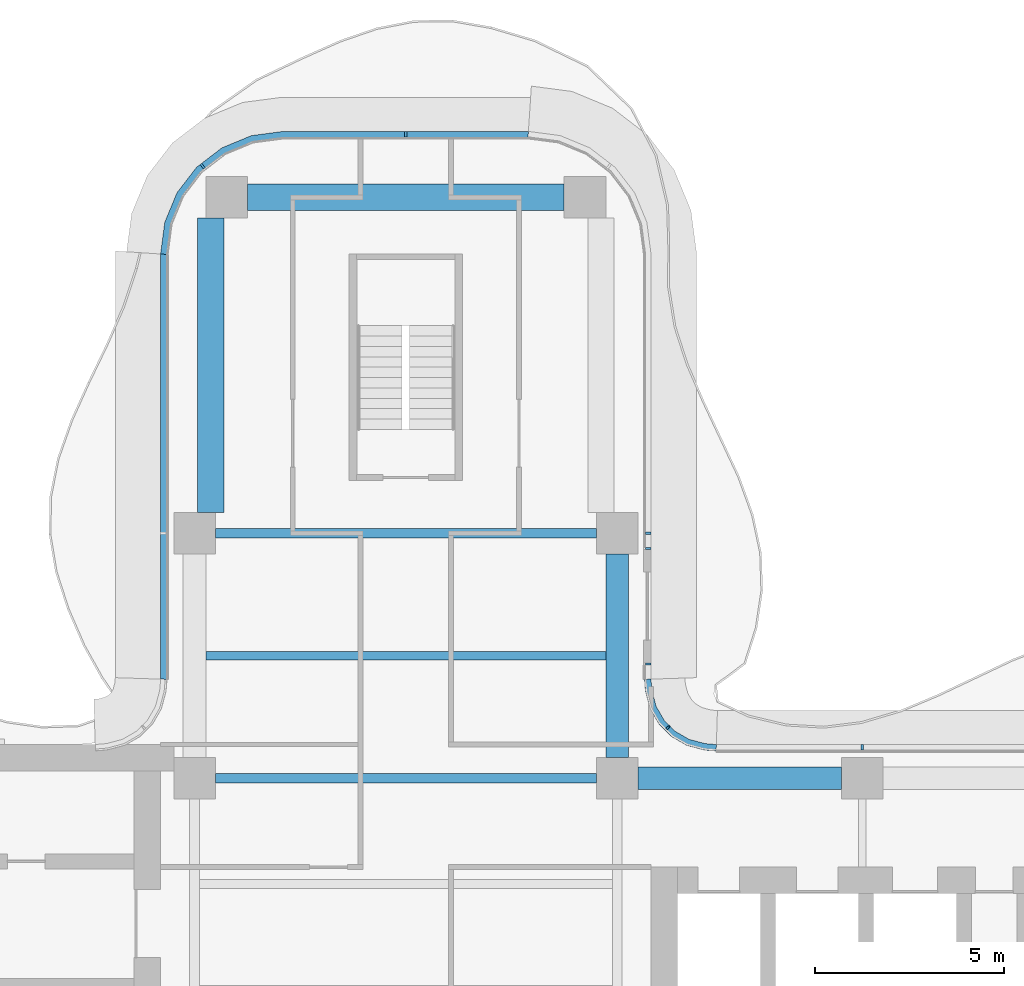
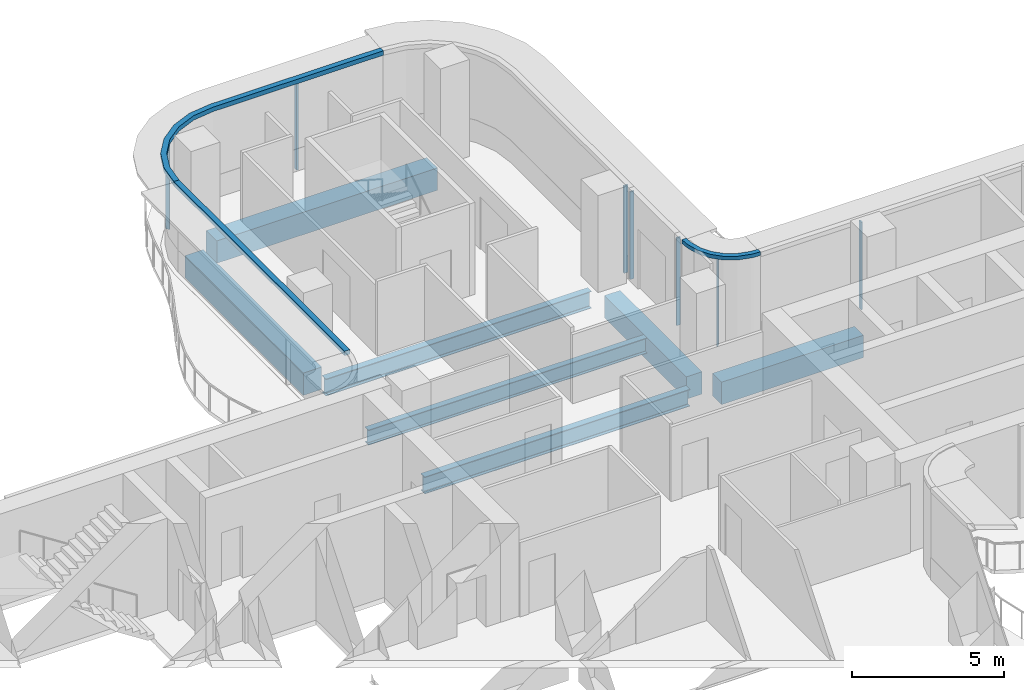
# One storey, part 8 of 19: 10 members, 7 beams, 6 elements without a shape of their own.
"""IFC4 building model written with IfcOpenShell, lengths in metres."""

from ifc_helpers import new_model, si_unit, direction, frame, origin, origin_2d, place, context, subcontext, project, spatial, polyline, rectangle, i_section, outline, extrude, source, transform, mapped, material, layer, layer_set, material_profile, profile_set, type_object, element, aggregate, save


model = new_model("IFC4")

# Units and contexts
model_context = context("Model", 3, precision=1e-05, world=origin(), true_north=direction((0.0, 1.0)))
body_context = subcontext(model_context, "Body", "Model", "MODEL_VIEW")
ifc_project = project(units=[si_unit("LENGTHUNIT", "METRE"), si_unit("AREAUNIT", "SQUARE_METRE"), si_unit("VOLUMEUNIT", "CUBIC_METRE"), si_unit("PLANEANGLEUNIT", "RADIAN"), si_unit("MASSUNIT", "GRAM", prefix="KILO")], contexts=[model_context])

# Site, building, storey
site_placement = place(None, origin())
site = spatial("IfcSite", under=ifc_project, at=site_placement, CompositionType="ELEMENT")
building_placement = place(site_placement, origin())
building = spatial("IfcBuilding", under=site, at=building_placement, Name="Trellis Farm Tower", CompositionType="ELEMENT")
storey_placement = place(building_placement, frame((0.0, 0.0, 228.5)))
storey = spatial("IfcBuildingStorey", under=building, at=storey_placement, Name="L50", CompositionType="ELEMENT", Elevation=228.5)

# Beams
ifc_material_1 = material(Name="Steel S355", Category="steel")
ifc_material_profile_1 = material_profile(ifc_material_1, i_section(OverallWidth=0.22900390625, OverallDepth=0.6123046875, WebThickness=0.011962890625, FlangeThickness=0.01953125, FilletRadius=0.0126953125, at=origin_2d()), Name="UB 610x229x125")
ifc_profile_set_1 = profile_set([ifc_material_profile_1], Name="Steel S355")
beam_type_1 = type_object("IfcBeamType", Name="UB 610x229x125 joist", PredefinedType="JOIST", material=ifc_profile_set_1)
shared_shape_1 = source(origin(), body_context, "Body", "SweptSolid", [
    extrude(i_section(OverallWidth=0.22900390625, OverallDepth=0.6123046875, WebThickness=0.011962890625, FlangeThickness=0.01953125, FilletRadius=0.0126953125, at=origin_2d()), origin(), (0.0, 0.0, 1.0), 10.60009765625),
])
beam_1_placement = place(storey_placement, frame((-5.300048828125, 8.85009765625, -0.506103515625), z_axis=(1.0, 0.0, 0.0), x_axis=(0.0, 1.0, 0.0)))
element("IfcBeam", 1, at=beam_1_placement, inside=storey, type_object=beam_type_1, Name="Floor beam", PredefinedType="JOIST", context=body_context, shape_type="MappedRepresentation", body=[
    mapped(shared_shape_1, transform((0.0, 0.0, 0.0))),
])
ifc_material_profile_2 = material_profile(ifc_material_1, i_section(OverallWidth=0.253662109375, OverallDepth=0.68359375, WebThickness=0.012451171875, FlangeThickness=0.021728515625, FilletRadius=0.01513671875, at=origin_2d()), Name="UB 686x254x140")
ifc_profile_set_2 = profile_set([ifc_material_profile_2], Name="Steel S355")
beam_type_2 = type_object("IfcBeamType", Name="UB 686x254x140", PredefinedType="BEAM", material=ifc_profile_set_2)
shared_shape_2 = source(origin(), body_context, "Body", "SweptSolid", [
    extrude(i_section(OverallWidth=0.253662109375, OverallDepth=0.68359375, WebThickness=0.012451171875, FlangeThickness=0.021728515625, FilletRadius=0.01513671875, at=origin_2d()), origin(), (0.0, 0.0, 1.0), 10.10009765625),
])
for number, where, z_axis, x_axis, name in (
    (2, (-5.050048828125, 5.60009765625, -0.541748046875), (1.0, 0.0, 0.0), (0.0, 1.0, 0.0), "Girder"),
    (3, (-5.050048828125, 12.10009765625, -0.541748046875), (1.0, 0.0, 0.0), (0.0, 1.0, 0.0), "Girder"),
):
    element("IfcBeam", number, at=place(storey_placement, frame(where, z_axis=z_axis, x_axis=x_axis)), inside=storey, type_object=beam_type_2, Name=name, PredefinedType="BEAM", context=body_context, shape_type="MappedRepresentation", body=[
        mapped(shared_shape_2, transform((0.0, 0.0, 0.0))),
    ])
ifc_material_2 = material(Name="Concrete C60/75", Category="concrete")
ifc_material_profile_3 = material_profile(ifc_material_2, rectangle(XDim=0.60009765625, YDim=0.89990234375, at=origin_2d()), Name="RC spandrel beam 600x900 C60/75")
ifc_profile_set_3 = profile_set([ifc_material_profile_3], Name="Concrete C60/75")
beam_type_3 = type_object("IfcBeamType", Name="RC spandrel beam 600x900 C60/75", PredefinedType="SPANDREL", material=ifc_profile_set_3)
shared_shape_3 = source(origin(), body_context, "Body", "SweptSolid", [
    extrude(rectangle(XDim=0.60009765625, YDim=0.89990234375, at=origin_2d()), origin(), (0.0, 0.0, 1.0), 5.400146484375),
])
for number, where, z_axis, x_axis, name in (
    (4, (6.14990234375, 5.60009765625, -0.64990234375), (1.0, 0.0, 0.0), (0.0, 1.0, 0.0), "Girder"),
    (5, (5.60009765625, 6.14990234375, -0.64990234375), (0.0, 1.0, 0.0), (-1.0, 0.0, 0.0), "Girder"),
):
    element("IfcBeam", number, at=place(storey_placement, frame(where, z_axis=z_axis, x_axis=x_axis)), inside=storey, type_object=beam_type_3, Name=name, PredefinedType="SPANDREL", context=body_context, shape_type="MappedRepresentation", body=[
        mapped(shared_shape_3, transform((0.0, 0.0, 0.0))),
    ])
ifc_material_profile_4 = material_profile(ifc_material_2, rectangle(XDim=0.699951171875, YDim=0.89990234375, at=origin_2d()), Name="RC spandrel beam 700x900 C60/75")
ifc_profile_set_4 = profile_set([ifc_material_profile_4], Name="Concrete C60/75")
beam_type_4 = type_object("IfcBeamType", Name="RC spandrel beam 700x900 C60/75", PredefinedType="SPANDREL", material=ifc_profile_set_4)
shared_shape_4 = source(origin(), body_context, "Body", "SweptSolid", [
    extrude(rectangle(XDim=0.699951171875, YDim=0.89990234375, at=origin_2d()), origin(), (0.0, 0.0, 1.0), 8.39990234375),
])
beam_2_placement = place(storey_placement, frame((-4.199951171875, 21.0, -0.64990234375), z_axis=(1.0, 0.0, 0.0), x_axis=(0.0, 1.0, 0.0)))
element("IfcBeam", 6, at=beam_2_placement, inside=storey, type_object=beam_type_4, Name="Girder", PredefinedType="SPANDREL", context=body_context, shape_type="MappedRepresentation", body=[
    mapped(shared_shape_4, transform((0.0, 0.0, 0.0))),
])
shared_shape_5 = source(origin(), body_context, "Body", "SweptSolid", [
    extrude(rectangle(XDim=0.699951171875, YDim=0.89990234375, at=origin_2d()), origin(), (0.0, 0.0, 1.0), 7.800048828125),
])
beam_3_placement = place(storey_placement, frame((-5.175048828125, 12.64990234375, -0.64990234375), z_axis=(0.0, 1.0, 0.0), x_axis=(-1.0, 0.0, 0.0)))
element("IfcBeam", 7, at=beam_3_placement, inside=storey, type_object=beam_type_4, Name="Girder", PredefinedType="SPANDREL", context=body_context, shape_type="MappedRepresentation", body=[
    mapped(shared_shape_5, transform((0.0, 0.0, 0.0))),
])

# Curtain wall, member
ifc_material_3 = material(Name="Aluminium and glass curtain wall", Category="aluminium")
ifc_layer_1 = layer(ifc_material_3, 0.166015625)
ifc_layer_set_1 = layer_set([ifc_layer_1], Name="WINTER GARDEN CURTAIN WALL CW3")
curtain_wall_type_1 = type_object("IfcCurtainWallType", Name="WINTER GARDEN CURTAIN WALL CW3", PredefinedType="NOTDEFINED", material=ifc_layer_set_1)
placement_1 = place(storey_placement, origin())
curtain_wall_1 = element("IfcCurtainWall", 8, at=placement_1, inside=storey, type_object=curtain_wall_type_1, Name="CW3 003", PredefinedType="NOTDEFINED")
ifc_material_4 = material(Name="Aluminium extrusion 6063-T6", Category="aluminium")
ifc_layer_2 = layer(ifc_material_4, 0.169921875)
ifc_layer_set_2 = layer_set([ifc_layer_2], Name="Aluminium extrusion 6063-T6")
member_type_1 = type_object("IfcMemberType", Name="CW3 TRANSOM 170x150", PredefinedType="USERDEFINED", material=ifc_layer_set_2)
shared_shape_6 = source(origin(), body_context, "Body", "SweptSolid", [
    extrude(outline(polyline([(8.2314453125, 6.5), (8.01953125, 6.513916015625), (7.91552734375, 6.527587890625), (7.508544921875, 6.63671875), (7.144287109375, 6.846923828125), (6.846923828125, 7.144287109375), (6.63671875, 7.508544921875), (6.527587890625, 7.91552734375), (6.513916015625, 8.01953125), (6.5, 8.2314453125), (6.330078125, 8.225830078125), (6.3447265625, 8.0029296875), (6.360595703125, 7.88232421875), (6.478271484375, 7.44287109375), (6.7109375, 7.0400390625), (7.0400390625, 6.7109375), (7.44287109375, 6.478271484375), (7.88232421875, 6.360595703125), (8.0029296875, 6.3447265625), (8.225830078125, 6.330078125), (8.2314453125, 6.5)])), origin(), (0.0, 0.0, 1.0), 0.14990234375),
])
member_1_placement = place(storey_placement, frame((0.0, 0.0, 3.550048828125)))
member_1 = element("IfcMember", 9, at=member_1_placement, type_object=member_type_1, Name="TR3 003", ObjectType="TRANSOM", PredefinedType="USERDEFINED", context=body_context, shape_type="MappedRepresentation", body=[
    mapped(shared_shape_6, transform((0.0, 0.0, 0.0))),
])

ifc_layer_3 = layer(ifc_material_3, 0.18994140625)
ifc_layer_set_3 = layer_set([ifc_layer_3], Name="RIBBON CURTAIN WALL CW1")
curtain_wall_type_2 = type_object("IfcCurtainWallType", Name="RIBBON CURTAIN WALL CW1", PredefinedType="NOTDEFINED", material=ifc_layer_set_3)
curtain_wall_2 = element("IfcCurtainWall", 10, at=placement_1, inside=storey, type_object=curtain_wall_type_2, Name="CW1 007", PredefinedType="NOTDEFINED")
ifc_material_profile_5 = material_profile(ifc_material_4, rectangle(XDim=0.06005859375, YDim=0.14990234375, at=origin_2d()), Name="MULLION 60x150")
ifc_profile_set_5 = profile_set([ifc_material_profile_5], Name="Aluminium extrusion 6063-T6")
member_type_2 = type_object("IfcMemberType", Name="CW1 MULLION 60x150", PredefinedType="MULLION", material=ifc_profile_set_5)
shared_shape_7 = source(origin(), body_context, "Body", "SweptSolid", [
    extrude(rectangle(XDim=0.06005859375, YDim=0.14990234375, at=origin_2d()), origin(), (0.0, 0.0, 1.0), 3.52001953125),
])
member_2_placement = place(storey_placement, frame((12.10009765625, 6.425048828125, 0.0), z_axis=(0.0, 0.0, 1.0), x_axis=(-1.0, 0.0, 0.0)))
member_2 = element("IfcMember", 11, at=member_2_placement, type_object=member_type_2, Name="MU1 007-02", PredefinedType="MULLION", context=body_context, shape_type="MappedRepresentation", body=[
    mapped(shared_shape_7, transform((0.0, 0.0, 0.0))),
])
aggregate(curtain_wall_2, [member_2])

curtain_wall_3 = element("IfcCurtainWall", 12, at=placement_1, inside=storey, type_object=curtain_wall_type_2, Name="CW1 008", PredefinedType="NOTDEFINED")
member_3_placement = place(storey_placement, frame((6.425048828125, 8.6357421875, 0.0), z_axis=(0.0, 0.0, 1.0), x_axis=(0.0, 1.0, 0.0)))
member_3 = element("IfcMember", 13, at=member_3_placement, type_object=member_type_2, Name="MU1 008-01", PredefinedType="MULLION", context=body_context, shape_type="MappedRepresentation", body=[
    mapped(shared_shape_7, transform((0.0, 0.0, 0.0))),
])
aggregate(curtain_wall_3, [member_3])

# Curtain wall, members
curtain_wall_4 = element("IfcCurtainWall", 14, at=placement_1, inside=storey, type_object=curtain_wall_type_2, Name="CW1 009", PredefinedType="NOTDEFINED")
member_4_placement = place(storey_placement, frame((6.425048828125, 11.69580078125, 0.0), z_axis=(0.0, 0.0, 1.0), x_axis=(0.0, 1.0, 0.0)))
member_4 = element("IfcMember", 15, at=member_4_placement, type_object=member_type_2, Name="MU1 009-01", PredefinedType="MULLION", context=body_context, shape_type="MappedRepresentation", body=[
    mapped(shared_shape_7, transform((0.0, 0.0, 0.0))),
])
member_5_placement = place(storey_placement, frame((6.425048828125, 12.10009765625, 0.0), z_axis=(0.0, 0.0, 1.0), x_axis=(0.0, 1.0, 0.0)))
member_5 = element("IfcMember", 16, at=member_5_placement, type_object=member_type_2, Name="MU1 009-02", PredefinedType="MULLION", context=body_context, shape_type="MappedRepresentation", body=[
    mapped(shared_shape_7, transform((0.0, 0.0, 0.0))),
])
aggregate(curtain_wall_4, [member_4, member_5])

curtain_wall_5 = element("IfcCurtainWall", 17, at=placement_1, inside=storey, type_object=curtain_wall_type_2, Name="CW1 010", PredefinedType="NOTDEFINED")
member_6_placement = place(storey_placement, frame((0.0, 22.675048828125, 0.0), z_axis=(0.0, 0.0, 1.0), x_axis=(-1.0, 0.0, 0.0)))
member_6 = element("IfcMember", 18, at=member_6_placement, type_object=member_type_2, Name="MU1 010-01", PredefinedType="MULLION", context=body_context, shape_type="MappedRepresentation", body=[
    mapped(shared_shape_7, transform((0.0, 0.0, 0.0))),
])
member_7_placement = place(storey_placement, frame((-5.385498046875, 21.828369140625, 0.0), z_axis=(0.0, 0.0, 1.0), x_axis=(-0.793353340291, -0.608761429009, 0.0)))
member_7 = element("IfcMember", 19, at=member_7_placement, type_object=member_type_2, Name="MU1 010-02", PredefinedType="MULLION", context=body_context, shape_type="MappedRepresentation", body=[
    mapped(shared_shape_7, transform((0.0, 0.0, 0.0))),
])

# Member
ifc_material_profile_6 = material_profile(ifc_material_4, rectangle(XDim=0.050048828125, YDim=0.1201171875, at=origin_2d()), Name="MULLION 50x120")
ifc_profile_set_6 = profile_set([ifc_material_profile_6], Name="Aluminium extrusion 6063-T6")
member_type_3 = type_object("IfcMemberType", Name="CW3 MULLION 50x120", PredefinedType="MULLION", material=ifc_profile_set_6)
shared_shape_8 = source(origin(), body_context, "Body", "SweptSolid", [
    extrude(rectangle(XDim=0.050048828125, YDim=0.1201171875, at=origin_2d()), origin(), (0.0, 0.0, 1.0), 3.550048828125),
])
member_8_placement = place(storey_placement, frame((6.953125, 6.953125, 0.0), z_axis=(0.0, 0.0, 1.0), x_axis=(-0.707106781187, 0.707106781187, 0.0)))
member_8 = element("IfcMember", 20, at=member_8_placement, type_object=member_type_3, Name="MU3 003-01", PredefinedType="MULLION", context=body_context, shape_type="MappedRepresentation", body=[
    mapped(shared_shape_8, transform((0.0, 0.0, 0.0))),
])

aggregate(curtain_wall_1, [member_8, member_1])

ifc_layer_4 = layer(ifc_material_4, 0.199951171875)
ifc_layer_set_4 = layer_set([ifc_layer_4], Name="Aluminium extrusion 6063-T6")
member_type_4 = type_object("IfcMemberType", Name="CW1 TRANSOM 200x180", PredefinedType="USERDEFINED", material=ifc_layer_set_4)
shared_shape_9 = source(origin(), body_context, "Body", "SweptSolid", [
    extrude(outline(polyline([(3.25, 22.75), (-3.25, 22.75), (-4.091064453125, 22.63916015625), (-4.875, 22.314697265625), (-5.548095703125, 21.798095703125), (-6.064697265625, 21.125), (-6.38916015625, 20.341064453125), (-6.5, 19.5), (-6.300048828125, 19.48681640625), (-6.1943359375, 20.2890625), (-5.889892578125, 21.024169921875), (-5.405517578125, 21.655517578125), (-4.774169921875, 22.139892578125), (-4.0390625, 22.4443359375), (-3.23681640625, 22.550048828125), (3.23681640625, 22.550048828125), (3.25, 22.75)])), origin(), (0.0, 0.0, 1.0), 0.179931640625),
])
placement_2 = place(storey_placement, frame((0.0, 0.0, 3.52001953125)))
member_9 = element("IfcMember", 21, at=placement_2, type_object=member_type_4, Name="TR1 010", ObjectType="TRANSOM", PredefinedType="USERDEFINED", context=body_context, shape_type="MappedRepresentation", body=[
    mapped(shared_shape_9, transform((0.0, 0.0, 0.0))),
])

aggregate(curtain_wall_5, [member_6, member_7, member_9])

# Curtain wall, member
curtain_wall_6 = element("IfcCurtainWall", 22, at=placement_1, inside=storey, type_object=curtain_wall_type_2, Name="CW1 011", PredefinedType="NOTDEFINED")
shared_shape_10 = source(origin(), body_context, "Body", "SweptSolid", [
    extrude(outline(polyline([(-6.5, 19.5), (-6.5, 8.2314453125), (-6.300048828125, 8.224853515625), (-6.300048828125, 19.48681640625), (-6.5, 19.5)])), origin(), (0.0, 0.0, 1.0), 0.179931640625),
])
member_10 = element("IfcMember", 23, at=placement_2, type_object=member_type_4, Name="TR1 011", ObjectType="TRANSOM", PredefinedType="USERDEFINED", context=body_context, shape_type="MappedRepresentation", body=[
    mapped(shared_shape_10, transform((0.0, 0.0, 0.0))),
])
aggregate(curtain_wall_6, [member_10])

save(model, "model.ifc")
